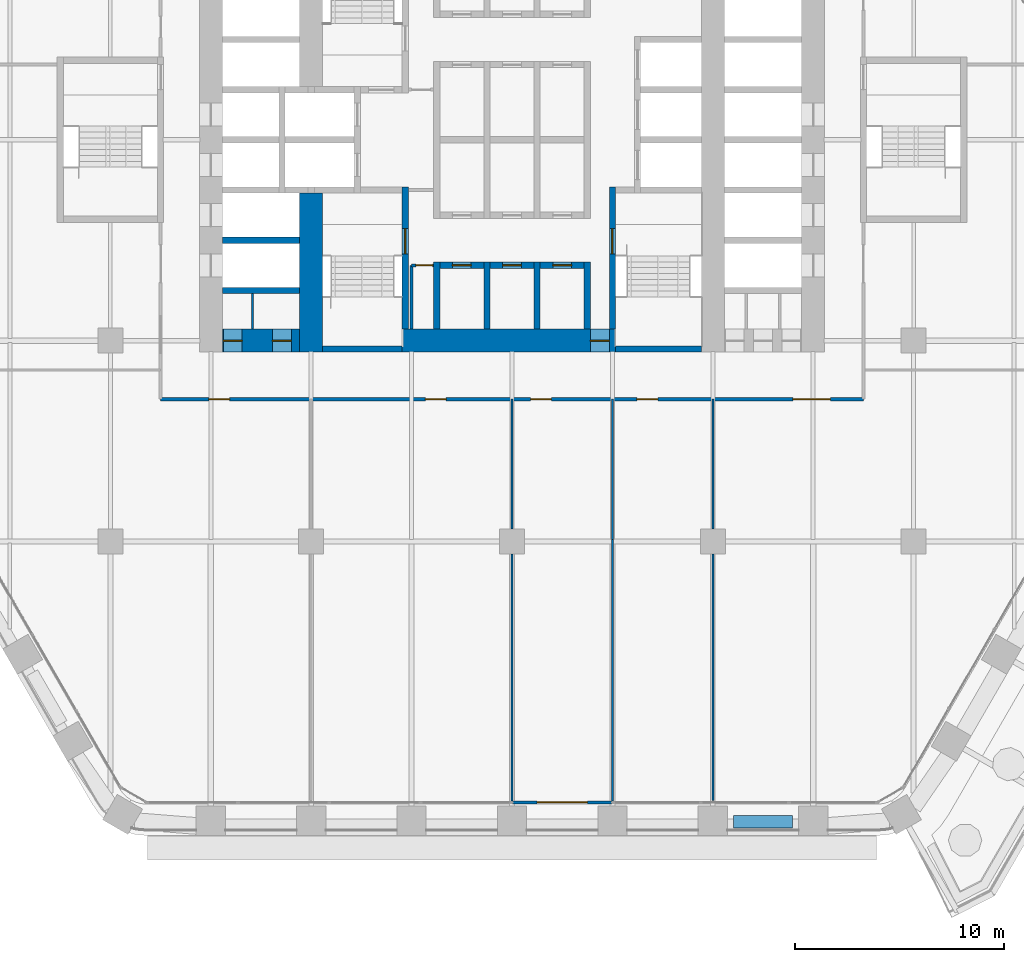
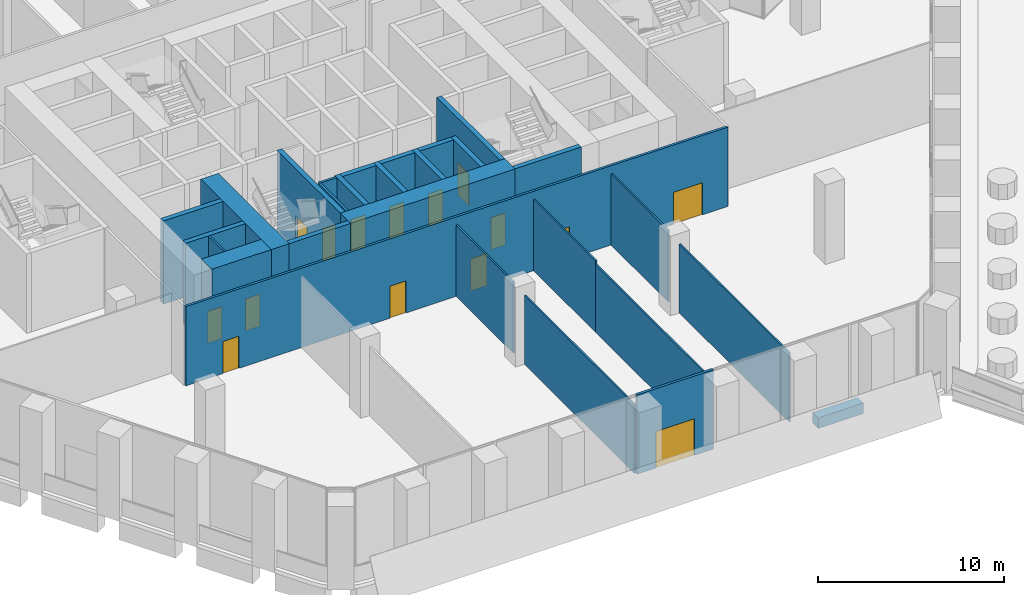
# One storey, part 20 of 32: 28 walls, 15 doors, 15 openings.
"""IFC4 building model written with IfcOpenShell, lengths in metres."""

from ifc_helpers import new_model, si_unit, direction, frame, frame_2d, origin, place, context, subcontext, project, spatial, rectangle, extrude, material, layer, layer_set, type_object, element, fill, save


model = new_model("IFC4")

# Units and contexts
model_context = context("Model", 3, precision=1e-05, world=origin(), true_north=direction((0.0, 1.0)))
body_context = subcontext(model_context, "Body", "Model", "MODEL_VIEW")
ifc_project = project(units=[si_unit("LENGTHUNIT", "METRE"), si_unit("AREAUNIT", "SQUARE_METRE"), si_unit("VOLUMEUNIT", "CUBIC_METRE"), si_unit("PLANEANGLEUNIT", "RADIAN"), si_unit("MASSUNIT", "GRAM", prefix="KILO")], contexts=[model_context])

# Site, building, storey
site_placement = place(None, origin())
site = spatial("IfcSite", under=ifc_project, at=site_placement, CompositionType="ELEMENT")
building_placement = place(site_placement, origin())
building = spatial("IfcBuilding", under=site, at=building_placement, Name="Kolab Exchange Tower", CompositionType="ELEMENT")
storey_placement = place(building_placement, frame((0.0, 0.0, 60.89990234375)))
storey = spatial("IfcBuildingStorey", under=building, at=storey_placement, Name="L11", CompositionType="ELEMENT", Elevation=60.89990234375)

# Wall, openings, doors
ifc_material_1 = material(Name="Concrete C80/95", Category="concrete")
ifc_layer_1 = layer(ifc_material_1, 1.10009765625)
ifc_layer_set_1 = layer_set([ifc_layer_1], Name="Concrete C80/95")
wall_type_1 = type_object("IfcWallType", Name="CORE WALL 1100 C80/95", PredefinedType="SHEAR", material=ifc_layer_set_1)
wall_1_placement = place(storey_placement, frame((-13.85009765625, -9.60009765625, -0.25), z_axis=(0.0, 0.0, 1.0), x_axis=(1.0, 0.0, 0.0)))
wall_1 = element("IfcWall", 1, at=wall_1_placement, inside=storey, type_object=wall_type_1, Name="wall/L11/core/002", PredefinedType="SHEAR", context=body_context, shape_type="SweptSolid", body=[
    extrude(rectangle(XDim=3.7001953125, YDim=1.10009765625, at=frame_2d((1.85009765625, 0.0))), origin(), (0.0, 0.0, 1.0), 5.4501953125),
])
opening_1_placement = place(wall_1_placement, frame((0.050048828125, 0.0, 0.25)))
opening_1 = element("IfcOpeningElement", 2, at=opening_1_placement, cuts=wall_1, Name="Opening D6-141", PredefinedType="OPENING", context=body_context, shape_type="SweptSolid", body=[
    extrude(rectangle(XDim=0.89990234375, YDim=2.10009765625, at=frame_2d((0.449951171875, 1.050048828125))), frame((0.0, 0.56005859375, 0.0), z_axis=(0.0, -1.0, 0.0), x_axis=(1.0, 0.0, 0.0)), (0.0, 0.0, 1.0), 1.1201171875),
])
opening_2_placement = place(wall_1_placement, frame((2.39990234375, 0.0, 0.25)))
opening_2 = element("IfcOpeningElement", 3, at=opening_2_placement, cuts=wall_1, Name="Opening D6-142", PredefinedType="OPENING", context=body_context, shape_type="SweptSolid", body=[
    extrude(rectangle(XDim=0.89990234375, YDim=2.10009765625, at=frame_2d((0.449951171875, 1.050048828125))), frame((0.0, 0.56005859375, 0.0), z_axis=(0.0, -1.0, 0.0), x_axis=(1.0, 0.0, 0.0)), (0.0, 0.0, 1.0), 1.1201171875),
])
ifc_material_2 = material(Name="Steel S235", Category="steel")
door_type_1 = type_object("IfcDoorType", Name="CORE DOOR 900 EI 120", OperationType="SINGLE_SWING_LEFT", PredefinedType="DOOR", material=ifc_material_2)
door_1_placement = place(opening_1_placement, origin())
door_1 = element("IfcDoor", 4, at=door_1_placement, inside=storey, type_object=door_type_1, Name="Service room door", OperationType="SINGLE_SWING_RIGHT", OverallHeight=2.10009765625, OverallWidth=0.89990234375, PredefinedType="DOOR", context=body_context, shape_type="SweptSolid", body=[
    extrude(rectangle(XDim=0.89990234375, YDim=2.10009765625, at=frame_2d((0.449951171875, 1.050048828125))), frame((0.0, 0.02490234375, 0.0), z_axis=(0.0, -1.0, 0.0), x_axis=(1.0, 0.0, 0.0)), (0.0, 0.0, 1.0), 0.050048828125),
])
fill(opening_1, door_1)
door_2_placement = place(opening_2_placement, origin())
door_2 = element("IfcDoor", 5, at=door_2_placement, inside=storey, type_object=door_type_1, Name="Service room door", OperationType="SINGLE_SWING_LEFT", OverallHeight=2.10009765625, OverallWidth=0.89990234375, PredefinedType="DOOR", context=body_context, shape_type="SweptSolid", body=[
    extrude(rectangle(XDim=0.89990234375, YDim=2.10009765625, at=frame_2d((0.449951171875, 1.050048828125))), frame((0.0, 0.02490234375, 0.0), z_axis=(0.0, -1.0, 0.0), x_axis=(1.0, 0.0, 0.0)), (0.0, 0.0, 1.0), 0.050048828125),
])
fill(opening_2, door_2)

# Wall, opening, door
wall_2_placement = place(storey_placement, frame((-5.25, -9.60009765625, -0.25), z_axis=(0.0, 0.0, 1.0), x_axis=(1.0, 0.0, 0.0)))
wall_2 = element("IfcWall", 6, at=wall_2_placement, inside=storey, type_object=wall_type_1, Name="wall/L11/core/003", PredefinedType="SHEAR", context=body_context, shape_type="SweptSolid", body=[
    extrude(rectangle(XDim=10.199951171875, YDim=1.10009765625, at=frame_2d((5.10009765625, 0.0))), origin(), (0.0, 0.0, 1.0), 5.4501953125),
])
opening_3_placement = place(wall_2_placement, frame((9.0, 0.0, 0.25)))
opening_3 = element("IfcOpeningElement", 7, at=opening_3_placement, cuts=wall_2, Name="Opening D6-134", PredefinedType="OPENING", context=body_context, shape_type="SweptSolid", body=[
    extrude(rectangle(XDim=0.89990234375, YDim=2.10009765625, at=frame_2d((0.449951171875, 1.050048828125))), frame((0.0, 0.56005859375, 0.0), z_axis=(0.0, -1.0, 0.0), x_axis=(1.0, 0.0, 0.0)), (0.0, 0.0, 1.0), 1.1201171875),
])
door_3_placement = place(opening_3_placement, origin())
door_3 = element("IfcDoor", 8, at=door_3_placement, inside=storey, type_object=door_type_1, Name="Core lobby door", OperationType="SINGLE_SWING_LEFT", OverallHeight=2.10009765625, OverallWidth=0.89990234375, PredefinedType="DOOR", context=body_context, shape_type="SweptSolid", body=[
    extrude(rectangle(XDim=0.89990234375, YDim=2.10009765625, at=frame_2d((0.449951171875, 1.050048828125))), frame((0.0, 0.02490234375, 0.0), z_axis=(0.0, -1.0, 0.0), x_axis=(1.0, 0.0, 0.0)), (0.0, 0.0, 1.0), 0.050048828125),
])
fill(opening_3, door_3)

# Wall
wall_3_placement = place(storey_placement, frame((-9.60009765625, -10.14990234375, -0.25), z_axis=(0.0, 0.0, 1.0), x_axis=(0.0, 1.0, 0.0)))
element("IfcWall", 9, at=wall_3_placement, inside=storey, type_object=wall_type_1, Name="wall/L11/core/059", PredefinedType="SHEAR", context=body_context, shape_type="SweptSolid", body=[
    extrude(rectangle(XDim=7.599853515625, YDim=1.10009765625, at=frame_2d((3.7998046875, 0.0))), origin(), (0.0, 0.0, 1.0), 5.4501953125),
])

# Wall, opening, door
ifc_material_3 = material(Name="Aluminium EN AW-6063 T6", Category="aluminium")
ifc_layer_2 = layer(ifc_material_3, 0.159912109375)
ifc_layer_set_2 = layer_set([ifc_layer_2], Name="Aluminium EN AW-6063 T6")
wall_type_2 = type_object("IfcWallType", Name="DOOR SURROUND WALL 160 ALUMINIUM FRAMED", PredefinedType="PARTITIONING", material=ifc_layer_set_2)
wall_4_placement = place(storey_placement, frame((4.77001953125, -31.67529296875, 0.0), z_axis=(0.0, 0.0, 1.0), x_axis=(-1.0, 0.0, 0.0)))
wall_4 = element("IfcWall", 10, at=wall_4_placement, inside=storey, type_object=wall_type_2, Name="Door surround wall", PredefinedType="PARTITIONING", context=body_context, shape_type="SweptSolid", body=[
    extrude(rectangle(XDim=4.739990234375, YDim=0.159912109375, at=frame_2d((2.3701171875, 0.0))), origin(), (0.0, 0.0, 1.0), 5.2001953125),
])
opening_4_placement = place(wall_4_placement, frame((1.169921875, 0.0, 0.0)))
opening_4 = element("IfcOpeningElement", 11, at=opening_4_placement, cuts=wall_4, Name="Opening GD1-026", PredefinedType="OPENING", context=body_context, shape_type="SweptSolid", body=[
    extrude(rectangle(XDim=2.39990234375, YDim=2.39990234375, at=frame_2d((1.199951171875, 1.199951171875))), frame((0.0, 0.08984375, 0.0), z_axis=(0.0, -1.0, 0.0), x_axis=(1.0, 0.0, 0.0)), (0.0, 0.0, 1.0), 0.179931640625),
])
door_type_2 = type_object("IfcDoorType", Name="LOGGIA SLIDING GLASS DOOR 2400 X 2400", OperationType="DOUBLE_DOOR_SINGLE_SWING", PredefinedType="DOOR", material=ifc_material_3)
door_4_placement = place(opening_4_placement, origin())
door_4 = element("IfcDoor", 12, at=door_4_placement, inside=storey, type_object=door_type_2, Name="Loggia door", OperationType="DOUBLE_DOOR_SLIDING", OverallHeight=2.39990234375, OverallWidth=2.39990234375, PredefinedType="DOOR", context=body_context, shape_type="SweptSolid", body=[
    extrude(rectangle(XDim=2.39990234375, YDim=2.39990234375, at=frame_2d((1.199951171875, 1.199951171875))), frame((0.0, 0.02490234375, 0.0), z_axis=(0.0, -1.0, 0.0), x_axis=(1.0, 0.0, 0.0)), (0.0, 0.0, 1.0), 0.050048828125),
])
fill(opening_4, door_4)

# Wall
ifc_material_4 = material(Name="Concrete C50/60", Category="concrete")
ifc_layer_3 = layer(ifc_material_4, 0.300048828125)
ifc_layer_set_3 = layer_set([ifc_layer_3], Name="Concrete C50/60")
wall_type_3 = type_object("IfcWallType", Name="LIFT SHAFT WALL 300 C50/60", PredefinedType="STANDARD", material=ifc_layer_set_3)
wall_5_placement = place(storey_placement, frame((-13.85009765625, -7.199951171875, -0.25), z_axis=(0.0, 0.0, 1.0), x_axis=(1.0, 0.0, 0.0)))
element("IfcWall", 13, at=wall_5_placement, inside=storey, type_object=wall_type_3, Name="wall/L11/core/005", PredefinedType="STANDARD", context=body_context, shape_type="SweptSolid", body=[
    extrude(rectangle(XDim=3.7001953125, YDim=0.300048828125, at=frame_2d((1.85009765625, 0.0))), origin(), (0.0, 0.0, 1.0), 5.4501953125),
])

# Wall, opening, door
wall_6_placement = place(storey_placement, frame((-3.449951171875, -6.0, -0.25), z_axis=(0.0, 0.0, 1.0), x_axis=(1.0, 0.0, 0.0)))
wall_6 = element("IfcWall", 14, at=wall_6_placement, inside=storey, type_object=wall_type_3, Name="wall/L11/core/007", PredefinedType="STANDARD", context=body_context, shape_type="SweptSolid", body=[
    extrude(rectangle(XDim=2.099853515625, YDim=0.300048828125, at=frame_2d((1.0498046875, 0.0))), origin(), (0.0, 0.0, 1.0), 5.4501953125),
])
opening_5_placement = place(wall_6_placement, frame((0.60009765625, 0.0, 0.25)))
opening_5 = element("IfcOpeningElement", 15, at=opening_5_placement, cuts=wall_6, Name="Opening D6-132", PredefinedType="OPENING", context=body_context, shape_type="SweptSolid", body=[
    extrude(rectangle(XDim=0.89990234375, YDim=2.10009765625, at=frame_2d((0.449951171875, 1.050048828125))), frame((0.0, 0.16015625, 0.0), z_axis=(0.0, -1.0, 0.0), x_axis=(1.0, 0.0, 0.0)), (0.0, 0.0, 1.0), 0.320068359375),
])
door_5_placement = place(opening_5_placement, frame((0.89990234375, 0.0, 0.0), z_axis=(0.0, 0.0, 1.0), x_axis=(-1.0, 0.0, 0.0)))
door_5 = element("IfcDoor", 16, at=door_5_placement, inside=storey, type_object=door_type_1, Name="Service room door", OperationType="SINGLE_SWING_LEFT", OverallHeight=2.10009765625, OverallWidth=0.89990234375, PredefinedType="DOOR", context=body_context, shape_type="SweptSolid", body=[
    extrude(rectangle(XDim=0.89990234375, YDim=2.10009765625, at=frame_2d((0.449951171875, 1.050048828125))), frame((0.0, 0.02490234375, 0.0), z_axis=(0.0, -1.0, 0.0), x_axis=(1.0, 0.0, 0.0)), (0.0, 0.0, 1.0), 0.050048828125),
])
fill(opening_5, door_5)

wall_7_placement = place(storey_placement, frame((-1.050048828125, -6.0, -0.25), z_axis=(0.0, 0.0, 1.0), x_axis=(1.0, 0.0, 0.0)))
wall_7 = element("IfcWall", 17, at=wall_7_placement, inside=storey, type_object=wall_type_3, Name="wall/L11/core/008", PredefinedType="STANDARD", context=body_context, shape_type="SweptSolid", body=[
    extrude(rectangle(XDim=2.10009765625, YDim=0.300048828125, at=frame_2d((1.050048828125, 0.0))), origin(), (0.0, 0.0, 1.0), 5.4501953125),
])
opening_6_placement = place(wall_7_placement, frame((0.60009765625, 0.0, 0.25)))
opening_6 = element("IfcOpeningElement", 18, at=opening_6_placement, cuts=wall_7, Name="Opening D6-131", PredefinedType="OPENING", context=body_context, shape_type="SweptSolid", body=[
    extrude(rectangle(XDim=0.89990234375, YDim=2.10009765625, at=frame_2d((0.449951171875, 1.050048828125))), frame((0.0, 0.16015625, 0.0), z_axis=(0.0, -1.0, 0.0), x_axis=(1.0, 0.0, 0.0)), (0.0, 0.0, 1.0), 0.320068359375),
])
door_6_placement = place(opening_6_placement, frame((0.89990234375, 0.0, 0.0), z_axis=(0.0, 0.0, 1.0), x_axis=(-1.0, 0.0, 0.0)))
door_6 = element("IfcDoor", 19, at=door_6_placement, inside=storey, type_object=door_type_1, Name="Service room door", OperationType="SINGLE_SWING_RIGHT", OverallHeight=2.10009765625, OverallWidth=0.89990234375, PredefinedType="DOOR", context=body_context, shape_type="SweptSolid", body=[
    extrude(rectangle(XDim=0.89990234375, YDim=2.10009765625, at=frame_2d((0.449951171875, 1.050048828125))), frame((0.0, 0.02490234375, 0.0), z_axis=(0.0, -1.0, 0.0), x_axis=(1.0, 0.0, 0.0)), (0.0, 0.0, 1.0), 0.050048828125),
])
fill(opening_6, door_6)

wall_8_placement = place(storey_placement, frame((1.35009765625, -6.0, -0.25), z_axis=(0.0, 0.0, 1.0), x_axis=(1.0, 0.0, 0.0)))
wall_8 = element("IfcWall", 20, at=wall_8_placement, inside=storey, type_object=wall_type_3, Name="wall/L11/core/009", PredefinedType="STANDARD", context=body_context, shape_type="SweptSolid", body=[
    extrude(rectangle(XDim=2.099853515625, YDim=0.300048828125, at=frame_2d((1.0498046875, 0.0))), origin(), (0.0, 0.0, 1.0), 5.4501953125),
])
opening_7_placement = place(wall_8_placement, frame((0.60009765625, 0.0, 0.25)))
opening_7 = element("IfcOpeningElement", 21, at=opening_7_placement, cuts=wall_8, Name="Opening D6-130", PredefinedType="OPENING", context=body_context, shape_type="SweptSolid", body=[
    extrude(rectangle(XDim=0.89990234375, YDim=2.10009765625, at=frame_2d((0.449951171875, 1.050048828125))), frame((0.0, 0.16015625, 0.0), z_axis=(0.0, -1.0, 0.0), x_axis=(1.0, 0.0, 0.0)), (0.0, 0.0, 1.0), 0.320068359375),
])
door_7_placement = place(opening_7_placement, frame((0.89990234375, 0.0, 0.0), z_axis=(0.0, 0.0, 1.0), x_axis=(-1.0, 0.0, 0.0)))
door_7 = element("IfcDoor", 22, at=door_7_placement, inside=storey, type_object=door_type_1, Name="Service room door", OperationType="SINGLE_SWING_RIGHT", OverallHeight=2.10009765625, OverallWidth=0.89990234375, PredefinedType="DOOR", context=body_context, shape_type="SweptSolid", body=[
    extrude(rectangle(XDim=0.89990234375, YDim=2.10009765625, at=frame_2d((0.449951171875, 1.050048828125))), frame((0.0, 0.02490234375, 0.0), z_axis=(0.0, -1.0, 0.0), x_axis=(1.0, 0.0, 0.0)), (0.0, 0.0, 1.0), 0.050048828125),
])
fill(opening_7, door_7)

# Walls
wall_9_placement = place(storey_placement, frame((-13.85009765625, -4.800048828125, -0.25), z_axis=(0.0, 0.0, 1.0), x_axis=(1.0, 0.0, 0.0)))
element("IfcWall", 23, at=wall_9_placement, inside=storey, type_object=wall_type_3, Name="wall/L11/core/010", PredefinedType="STANDARD", context=body_context, shape_type="SweptSolid", body=[
    extrude(rectangle(XDim=3.7001953125, YDim=0.300048828125, at=frame_2d((1.85009765625, 0.0))), origin(), (0.0, 0.0, 1.0), 5.4501953125),
])
for number, where, z_axis, x_axis, name in (
    (24, (-3.60009765625, -9.050048828125, -0.25), (0.0, 0.0, 1.0), (0.0, 1.0, 0.0), "wall/L11/core/066"),
    (25, (-1.199951171875, -9.050048828125, -0.25), (0.0, 0.0, 1.0), (0.0, 1.0, 0.0), "wall/L11/core/069"),
    (26, (1.199951171875, -9.050048828125, -0.25), (0.0, 0.0, 1.0), (0.0, 1.0, 0.0), "wall/L11/core/072"),
    (27, (3.60009765625, -9.050048828125, -0.25), (0.0, 0.0, 1.0), (0.0, 1.0, 0.0), "wall/L11/core/075"),
):
    element("IfcWall", number, at=place(storey_placement, frame(where, z_axis=z_axis, x_axis=x_axis)), inside=storey, type_object=wall_type_3, Name=name, PredefinedType="STANDARD", context=body_context, shape_type="SweptSolid", body=[
        extrude(rectangle(XDim=3.199951171875, YDim=0.300048828125, at=frame_2d((1.60009765625, 0.0))), origin(), (0.0, 0.0, 1.0), 5.4501953125),
    ])
ifc_material_5 = material(Name="Gypsum board", Category="gypsum")
ifc_layer_4 = layer(ifc_material_5, 0.10009765625)
ifc_layer_set_4 = layer_set([ifc_layer_4], Name="Gypsum board")
wall_type_4 = type_object("IfcWallType", Name="PARTITION 100", PredefinedType="PARTITIONING", material=ifc_layer_set_4)
wall_10_placement = place(storey_placement, frame((9.60009765625, -31.58544921875, 0.0), z_axis=(0.0, 0.0, 1.0), x_axis=(0.0, 1.0, 0.0)))
element("IfcWall", 28, at=wall_10_placement, inside=storey, type_object=wall_type_4, Name="Partition 007", PredefinedType="PARTITIONING", context=body_context, shape_type="SweptSolid", body=[
    extrude(rectangle(XDim=11.785400390625, YDim=0.10009765625, at=frame_2d((5.892578125, 0.0))), origin(), (0.0, 0.0, 1.0), 4.51611328125),
])
wall_11_placement = place(storey_placement, frame((9.60009765625, -18.60009765625, 0.0), z_axis=(0.0, 0.0, 1.0), x_axis=(0.0, 1.0, 0.0)))
element("IfcWall", 29, at=wall_11_placement, inside=storey, type_object=wall_type_4, Name="Partition 008", PredefinedType="PARTITIONING", context=body_context, shape_type="SweptSolid", body=[
    extrude(rectangle(XDim=6.2001953125, YDim=0.10009765625, at=frame_2d((3.10009765625, 0.0))), origin(), (0.0, 0.0, 1.0), 4.6669921875),
])
wall_12_placement = place(storey_placement, frame((4.800048828125, -31.595458984375, 0.0), z_axis=(0.0, 0.0, 1.0), x_axis=(0.0, 1.0, 0.0)))
element("IfcWall", 30, at=wall_12_placement, inside=storey, type_object=wall_type_4, Name="Partition 013", PredefinedType="PARTITIONING", context=body_context, shape_type="SweptSolid", body=[
    extrude(rectangle(XDim=12.489013671875, YDim=0.10009765625, at=frame_2d((6.24462890625, 0.0))), origin(), (0.0, 0.0, 1.0), 4.43798828125),
])
wall_13_placement = place(storey_placement, frame((4.800048828125, -19.1064453125, 0.0), z_axis=(0.0, 0.0, 1.0), x_axis=(0.0, 1.0, 0.0)))
element("IfcWall", 31, at=wall_13_placement, inside=storey, type_object=wall_type_4, Name="Partition 013", PredefinedType="PARTITIONING", context=body_context, shape_type="SweptSolid", body=[
    extrude(rectangle(XDim=6.70654296875, YDim=0.10009765625, at=frame_2d((3.353271484375, 0.0))), origin(), (0.0, 0.0, 1.0), 4.6669921875),
])
wall_14_placement = place(storey_placement, frame((0.0, -31.595458984375, 0.0), z_axis=(0.0, 0.0, 1.0), x_axis=(0.0, 1.0, 0.0)))
element("IfcWall", 32, at=wall_14_placement, inside=storey, type_object=wall_type_4, Name="Partition 015", PredefinedType="PARTITIONING", context=body_context, shape_type="SweptSolid", body=[
    extrude(rectangle(XDim=11.79541015625, YDim=0.10009765625, at=frame_2d((5.897705078125, 0.0))), origin(), (0.0, 0.0, 1.0), 4.51611328125),
])
wall_15_placement = place(storey_placement, frame((0.0, -18.60009765625, 0.0), z_axis=(0.0, 0.0, 1.0), x_axis=(0.0, 1.0, 0.0)))
element("IfcWall", 33, at=wall_15_placement, inside=storey, type_object=wall_type_4, Name="Partition 016", PredefinedType="PARTITIONING", context=body_context, shape_type="SweptSolid", body=[
    extrude(rectangle(XDim=6.2001953125, YDim=0.10009765625, at=frame_2d((3.10009765625, 0.0))), origin(), (0.0, 0.0, 1.0), 4.6669921875),
])
wall_16_placement = place(storey_placement, frame((-12.39990234375, -9.050048828125, 0.0), z_axis=(0.0, 0.0, 1.0), x_axis=(0.0, 1.0, 0.0)))
element("IfcWall", 34, at=wall_16_placement, inside=storey, type_object=wall_type_4, Name="Partition 026", PredefinedType="PARTITIONING", context=body_context, shape_type="SweptSolid", body=[
    extrude(rectangle(XDim=1.699951171875, YDim=0.10009765625, at=frame_2d((0.85009765625, 0.0))), origin(), (0.0, 0.0, 1.0), 5.2001953125),
])
ifc_layer_5 = layer(ifc_material_5, 0.14990234375)
ifc_layer_set_5 = layer_set([ifc_layer_5], Name="Gypsum board")
wall_type_5 = type_object("IfcWallType", Name="PARTITION 150 FIRE-RATED", PredefinedType="PARTITIONING", material=ifc_layer_set_5)
wall_17_placement = place(storey_placement, frame((-4.800048828125, -9.050048828125, 0.0), z_axis=(0.0, 0.0, 1.0), x_axis=(0.0, 1.0, 0.0)))
element("IfcWall", 35, at=wall_17_placement, inside=storey, type_object=wall_type_5, Name="Partition 019", PredefinedType="PARTITIONING", context=body_context, shape_type="SweptSolid", body=[
    extrude(rectangle(XDim=3.050048828125, YDim=0.14990234375, at=frame_2d((1.52490234375, 0.0))), origin(), (0.0, 0.0, 1.0), 5.2001953125),
])

# Wall, openings, doors
wall_18_placement = place(storey_placement, frame((-16.800048828125, -12.39990234375, 0.0), z_axis=(0.0, 0.0, 1.0), x_axis=(1.0, 0.0, 0.0)))
wall_18 = element("IfcWall", 36, at=wall_18_placement, inside=storey, type_object=wall_type_5, Name="Partition 030", PredefinedType="PARTITIONING", context=body_context, shape_type="SweptSolid", body=[
    extrude(rectangle(XDim=33.60009765625, YDim=0.14990234375, at=frame_2d((16.800048828125, 0.0))), origin(), (0.0, 0.0, 1.0), 5.2001953125),
])
opening_8_placement = place(wall_18_placement, frame((2.304931640625, 0.0, 0.0)))
opening_8 = element("IfcOpeningElement", 37, at=opening_8_placement, cuts=wall_18, Name="Opening D1-135", PredefinedType="OPENING", context=body_context, shape_type="SweptSolid", body=[
    extrude(rectangle(XDim=1.0, YDim=2.10009765625, at=frame_2d((0.5, 1.050048828125))), frame((0.0, 0.0849609375, 0.0), z_axis=(0.0, -1.0, 0.0), x_axis=(1.0, 0.0, 0.0)), (0.0, 0.0, 1.0), 0.169921875),
])
opening_9_placement = place(wall_18_placement, frame((12.655029296875, 0.0, 0.0)))
opening_9 = element("IfcOpeningElement", 38, at=opening_9_placement, cuts=wall_18, Name="Opening D1-136", PredefinedType="OPENING", context=body_context, shape_type="SweptSolid", body=[
    extrude(rectangle(XDim=1.0, YDim=2.10009765625, at=frame_2d((0.5, 1.050048828125))), frame((0.0, 0.0849609375, 0.0), z_axis=(0.0, -1.0, 0.0), x_axis=(1.0, 0.0, 0.0)), (0.0, 0.0, 1.0), 0.169921875),
])
opening_10_placement = place(wall_18_placement, frame((17.68505859375, 0.0, 0.0)))
opening_10 = element("IfcOpeningElement", 39, at=opening_10_placement, cuts=wall_18, Name="Opening D1-137", PredefinedType="OPENING", context=body_context, shape_type="SweptSolid", body=[
    extrude(rectangle(XDim=1.0, YDim=2.10009765625, at=frame_2d((0.5, 1.050048828125))), frame((0.0, 0.0849609375, 0.0), z_axis=(0.0, -1.0, 0.0), x_axis=(1.0, 0.0, 0.0)), (0.0, 0.0, 1.0), 0.169921875),
])
opening_11_placement = place(wall_18_placement, frame((22.77490234375, 0.0, 0.0)))
opening_11 = element("IfcOpeningElement", 40, at=opening_11_placement, cuts=wall_18, Name="Opening D1-138", PredefinedType="OPENING", context=body_context, shape_type="SweptSolid", body=[
    extrude(rectangle(XDim=1.0, YDim=2.10009765625, at=frame_2d((0.5, 1.050048828125))), frame((0.0, 0.0849609375, 0.0), z_axis=(0.0, -1.0, 0.0), x_axis=(1.0, 0.0, 0.0)), (0.0, 0.0, 1.0), 0.169921875),
])
opening_12_placement = place(wall_18_placement, frame((30.22509765625, 0.0, 0.0)))
opening_12 = element("IfcOpeningElement", 41, at=opening_12_placement, cuts=wall_18, Name="Opening D2-034", PredefinedType="OPENING", context=body_context, shape_type="SweptSolid", body=[
    extrude(rectangle(XDim=1.800048828125, YDim=2.10009765625, at=frame_2d((0.89990234375, 1.050048828125))), frame((0.0, 0.0849609375, 0.0), z_axis=(0.0, -1.0, 0.0), x_axis=(1.0, 0.0, 0.0)), (0.0, 0.0, 1.0), 0.169921875),
])
door_type_3 = type_object("IfcDoorType", Name="DOUBLE DOOR 1800 FD60", OperationType="DOUBLE_DOOR_SINGLE_SWING", PredefinedType="DOOR", material=ifc_material_2)
door_8_placement = place(opening_12_placement, frame((1.800048828125, 0.0, 0.0), z_axis=(0.0, 0.0, 1.0), x_axis=(-1.0, 0.0, 0.0)))
door_8 = element("IfcDoor", 42, at=door_8_placement, inside=storey, type_object=door_type_3, Name="Door L11-060", OperationType="SINGLE_SWING_LEFT", OverallHeight=2.10009765625, OverallWidth=1.800048828125, PredefinedType="DOOR", context=body_context, shape_type="SweptSolid", body=[
    extrude(rectangle(XDim=1.800048828125, YDim=2.10009765625, at=frame_2d((0.89990234375, 1.050048828125))), frame((0.0, 0.02490234375, 0.0), z_axis=(0.0, -1.0, 0.0), x_axis=(1.0, 0.0, 0.0)), (0.0, 0.0, 1.0), 0.050048828125),
])
fill(opening_12, door_8)
door_type_4 = type_object("IfcDoorType", Name="FLUSH DOOR 1000 FD60", OperationType="SINGLE_SWING_LEFT", PredefinedType="DOOR", material=ifc_material_2)
door_9_placement = place(opening_8_placement, frame((1.0, 0.0, 0.0), z_axis=(0.0, 0.0, 1.0), x_axis=(-1.0, 0.0, 0.0)))
door_9 = element("IfcDoor", 43, at=door_9_placement, inside=storey, type_object=door_type_4, Name="Door L11-056", OperationType="SINGLE_SWING_RIGHT", OverallHeight=2.10009765625, OverallWidth=1.0, PredefinedType="DOOR", context=body_context, shape_type="SweptSolid", body=[
    extrude(rectangle(XDim=1.0, YDim=2.10009765625, at=frame_2d((0.5, 1.050048828125))), frame((0.0, 0.02490234375, 0.0), z_axis=(0.0, -1.0, 0.0), x_axis=(1.0, 0.0, 0.0)), (0.0, 0.0, 1.0), 0.050048828125),
])
fill(opening_8, door_9)
door_10_placement = place(opening_9_placement, frame((1.0, 0.0, 0.0), z_axis=(0.0, 0.0, 1.0), x_axis=(-1.0, 0.0, 0.0)))
door_10 = element("IfcDoor", 44, at=door_10_placement, inside=storey, type_object=door_type_4, Name="Door L11-057", OperationType="SINGLE_SWING_RIGHT", OverallHeight=2.10009765625, OverallWidth=1.0, PredefinedType="DOOR", context=body_context, shape_type="SweptSolid", body=[
    extrude(rectangle(XDim=1.0, YDim=2.10009765625, at=frame_2d((0.5, 1.050048828125))), frame((0.0, 0.02490234375, 0.0), z_axis=(0.0, -1.0, 0.0), x_axis=(1.0, 0.0, 0.0)), (0.0, 0.0, 1.0), 0.050048828125),
])
fill(opening_9, door_10)
door_11_placement = place(opening_10_placement, frame((1.0, 0.0, 0.0), z_axis=(0.0, 0.0, 1.0), x_axis=(-1.0, 0.0, 0.0)))
door_11 = element("IfcDoor", 45, at=door_11_placement, inside=storey, type_object=door_type_4, Name="Door L11-058", OperationType="SINGLE_SWING_LEFT", OverallHeight=2.10009765625, OverallWidth=1.0, PredefinedType="DOOR", context=body_context, shape_type="SweptSolid", body=[
    extrude(rectangle(XDim=1.0, YDim=2.10009765625, at=frame_2d((0.5, 1.050048828125))), frame((0.0, 0.02490234375, 0.0), z_axis=(0.0, -1.0, 0.0), x_axis=(1.0, 0.0, 0.0)), (0.0, 0.0, 1.0), 0.050048828125),
])
fill(opening_10, door_11)
door_12_placement = place(opening_11_placement, frame((1.0, 0.0, 0.0), z_axis=(0.0, 0.0, 1.0), x_axis=(-1.0, 0.0, 0.0)))
door_12 = element("IfcDoor", 46, at=door_12_placement, inside=storey, type_object=door_type_4, Name="Door L11-059", OperationType="SINGLE_SWING_LEFT", OverallHeight=2.10009765625, OverallWidth=1.0, PredefinedType="DOOR", context=body_context, shape_type="SweptSolid", body=[
    extrude(rectangle(XDim=1.0, YDim=2.10009765625, at=frame_2d((0.5, 1.050048828125))), frame((0.0, 0.02490234375, 0.0), z_axis=(0.0, -1.0, 0.0), x_axis=(1.0, 0.0, 0.0)), (0.0, 0.0, 1.0), 0.050048828125),
])
fill(opening_11, door_12)

# Wall, opening, door
wall_19_placement = place(storey_placement, frame((-4.800048828125, -6.0, 0.0), z_axis=(0.0, 0.0, 1.0), x_axis=(1.0, 0.0, 0.0)))
wall_19 = element("IfcWall", 47, at=wall_19_placement, inside=storey, type_object=wall_type_5, Name="Partition 033", PredefinedType="PARTITIONING", context=body_context, shape_type="SweptSolid", body=[
    extrude(rectangle(XDim=1.050048828125, YDim=0.14990234375, at=frame_2d((0.52490234375, 0.0))), origin(), (0.0, 0.0, 1.0), 5.2001953125),
])
opening_13_placement = place(wall_19_placement, frame((0.199951171875, 0.0, 0.0)))
opening_13 = element("IfcOpeningElement", 48, at=opening_13_placement, cuts=wall_19, Name="Opening D7-013", PredefinedType="OPENING", context=body_context, shape_type="SweptSolid", body=[
    extrude(rectangle(XDim=0.800048828125, YDim=2.10009765625, at=frame_2d((0.39990234375, 1.050048828125))), frame((0.0, 0.0849609375, 0.0), z_axis=(0.0, -1.0, 0.0), x_axis=(1.0, 0.0, 0.0)), (0.0, 0.0, 1.0), 0.169921875),
])
door_type_5 = type_object("IfcDoorType", Name="FLUSH DOOR 800 FD60", OperationType="SINGLE_SWING_LEFT", PredefinedType="DOOR", material=ifc_material_2)
door_13_placement = place(opening_13_placement, frame((0.800048828125, 0.0, 0.0), z_axis=(0.0, 0.0, 1.0), x_axis=(-1.0, 0.0, 0.0)))
door_13 = element("IfcDoor", 49, at=door_13_placement, inside=storey, type_object=door_type_5, Name="Door L11-044", OperationType="SINGLE_SWING_RIGHT", OverallHeight=2.10009765625, OverallWidth=0.800048828125, PredefinedType="DOOR", context=body_context, shape_type="SweptSolid", body=[
    extrude(rectangle(XDim=0.800048828125, YDim=2.10009765625, at=frame_2d((0.39990234375, 1.050048828125))), frame((0.0, 0.02490234375, 0.0), z_axis=(0.0, -1.0, 0.0), x_axis=(1.0, 0.0, 0.0)), (0.0, 0.0, 1.0), 0.050048828125),
])
fill(opening_13, door_13)

# Walls
ifc_material_6 = material(Name="Granite facing", Category="masonry")
ifc_layer_6 = layer(ifc_material_6, 0.0400390625)
ifc_material_7 = material(Name="Concrete C40/50 precast", Category="concrete")
ifc_layer_7 = layer(ifc_material_7, 0.56005859375)
ifc_layer_set_6 = layer_set([ifc_layer_6, ifc_layer_7], Name="Concrete C40/50 precast")
wall_type_6 = type_object("IfcWallType", Name="PLANTER BOX 600 X 700 SOIL DEPTH 550", PredefinedType="USERDEFINED", material=ifc_layer_set_6)
wall_20_placement = place(storey_placement, frame((13.39990234375, -32.60546875, 0.0), z_axis=(0.0, 0.0, 1.0), x_axis=(-1.0, 0.0, 0.0)))
element("IfcWall", 50, at=wall_20_placement, inside=storey, type_object=wall_type_6, Name="Planter", ObjectType="PLANTER", PredefinedType="USERDEFINED", context=body_context, shape_type="SweptSolid", body=[
    extrude(rectangle(XDim=2.7998046875, YDim=0.60009765625, at=frame_2d((1.39990234375, 0.0))), origin(), (0.0, 0.0, 1.0), 0.7001953125),
])
ifc_layer_8 = layer(ifc_material_4, 0.300048828125)
ifc_layer_set_7 = layer_set([ifc_layer_8], Name="Concrete C50/60")
wall_type_7 = type_object("IfcWallType", Name="STAIR ENCLOSURE WALL 300 C50/60", PredefinedType="STANDARD", material=ifc_layer_set_7)
wall_21_placement = place(storey_placement, frame((-9.050048828125, -10.0, -0.25), z_axis=(0.0, 0.0, 1.0), x_axis=(1.0, 0.0, 0.0)))
element("IfcWall", 51, at=wall_21_placement, inside=storey, type_object=wall_type_7, Name="wall/L11/core/000", PredefinedType="STANDARD", context=body_context, shape_type="SweptSolid", body=[
    extrude(rectangle(XDim=3.800048828125, YDim=0.300048828125, at=frame_2d((1.89990234375, 0.0))), origin(), (0.0, 0.0, 1.0), 5.4501953125),
])
wall_22_placement = place(storey_placement, frame((4.949951171875, -10.0, -0.25), z_axis=(0.0, 0.0, 1.0), x_axis=(1.0, 0.0, 0.0)))
element("IfcWall", 52, at=wall_22_placement, inside=storey, type_object=wall_type_7, Name="wall/L11/core/001", PredefinedType="STANDARD", context=body_context, shape_type="SweptSolid", body=[
    extrude(rectangle(XDim=4.10009765625, YDim=0.300048828125, at=frame_2d((2.050048828125, 0.0))), origin(), (0.0, 0.0, 1.0), 5.4501953125),
])

# Wall, opening, door
wall_23_placement = place(storey_placement, frame((-5.10009765625, -9.050048828125, -0.25), z_axis=(0.0, 0.0, 1.0), x_axis=(0.0, 1.0, 0.0)))
wall_23 = element("IfcWall", 53, at=wall_23_placement, inside=storey, type_object=wall_type_7, Name="wall/L11/core/064", PredefinedType="STANDARD", context=body_context, shape_type="SweptSolid", body=[
    extrude(rectangle(XDim=6.800048828125, YDim=0.300048828125, at=frame_2d((3.39990234375, 0.0))), origin(), (0.0, 0.0, 1.0), 5.4501953125),
])
opening_14_placement = place(wall_23_placement, frame((3.60009765625, 0.0, 0.25)))
opening_14 = element("IfcOpeningElement", 54, at=opening_14_placement, cuts=wall_23, Name="Opening D4-028", PredefinedType="OPENING", context=body_context, shape_type="SweptSolid", body=[
    extrude(rectangle(XDim=1.199951171875, YDim=2.10009765625, at=frame_2d((0.60009765625, 1.050048828125))), frame((0.0, 0.16015625, 0.0), z_axis=(0.0, -1.0, 0.0), x_axis=(1.0, 0.0, 0.0)), (0.0, 0.0, 1.0), 0.320068359375),
])
door_type_6 = type_object("IfcDoorType", Name="STAIR DOOR 1200 EI 120", OperationType="SINGLE_SWING_LEFT", PredefinedType="DOOR", material=ifc_material_2)
door_14_placement = place(opening_14_placement, origin())
door_14 = element("IfcDoor", 55, at=door_14_placement, inside=storey, type_object=door_type_6, Name="Stair 3 door", OperationType="SINGLE_SWING_RIGHT", OverallHeight=2.10009765625, OverallWidth=1.199951171875, PredefinedType="DOOR", context=body_context, shape_type="SweptSolid", body=[
    extrude(rectangle(XDim=1.199951171875, YDim=2.10009765625, at=frame_2d((0.60009765625, 1.050048828125))), frame((0.0, 0.02490234375, 0.0), z_axis=(0.0, -1.0, 0.0), x_axis=(1.0, 0.0, 0.0)), (0.0, 0.0, 1.0), 0.050048828125),
])
fill(opening_14, door_14)

wall_24_placement = place(storey_placement, frame((4.800048828125, -9.050048828125, -0.25), z_axis=(0.0, 0.0, 1.0), x_axis=(0.0, 1.0, 0.0)))
wall_24 = element("IfcWall", 56, at=wall_24_placement, inside=storey, type_object=wall_type_7, Name="wall/L11/core/078", PredefinedType="STANDARD", context=body_context, shape_type="SweptSolid", body=[
    extrude(rectangle(XDim=6.800048828125, YDim=0.300048828125, at=frame_2d((3.39990234375, 0.0))), origin(), (0.0, 0.0, 1.0), 5.4501953125),
])
opening_15_placement = place(wall_24_placement, frame((3.60009765625, 0.0, 0.25)))
opening_15 = element("IfcOpeningElement", 57, at=opening_15_placement, cuts=wall_24, Name="Opening D4-027", PredefinedType="OPENING", context=body_context, shape_type="SweptSolid", body=[
    extrude(rectangle(XDim=1.199951171875, YDim=2.10009765625, at=frame_2d((0.60009765625, 1.050048828125))), frame((0.0, 0.16015625, 0.0), z_axis=(0.0, -1.0, 0.0), x_axis=(1.0, 0.0, 0.0)), (0.0, 0.0, 1.0), 0.320068359375),
])
door_15_placement = place(opening_15_placement, frame((1.199951171875, 0.0, 0.0), z_axis=(0.0, 0.0, 1.0), x_axis=(-1.0, 0.0, 0.0)))
door_15 = element("IfcDoor", 58, at=door_15_placement, inside=storey, type_object=door_type_6, Name="Stair 2 door", OperationType="SINGLE_SWING_RIGHT", OverallHeight=2.10009765625, OverallWidth=1.199951171875, PredefinedType="DOOR", context=body_context, shape_type="SweptSolid", body=[
    extrude(rectangle(XDim=1.199951171875, YDim=2.10009765625, at=frame_2d((0.60009765625, 1.050048828125))), frame((0.0, 0.02490234375, 0.0), z_axis=(0.0, -1.0, 0.0), x_axis=(1.0, 0.0, 0.0)), (0.0, 0.0, 1.0), 0.050048828125),
])
fill(opening_15, door_15)

save(model, "model.ifc")
